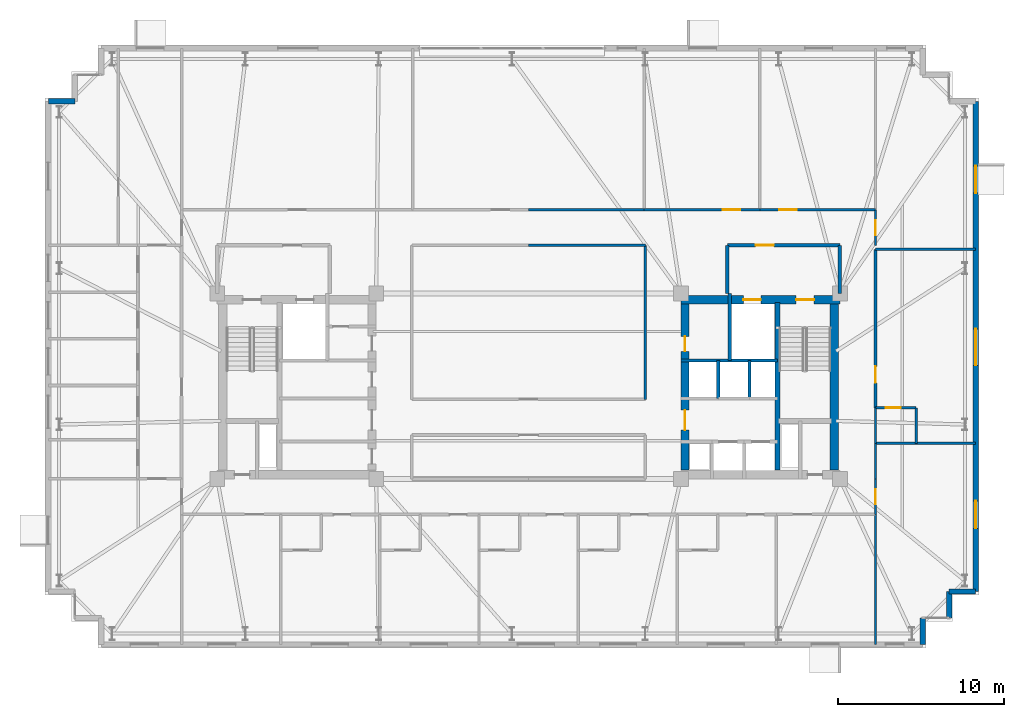
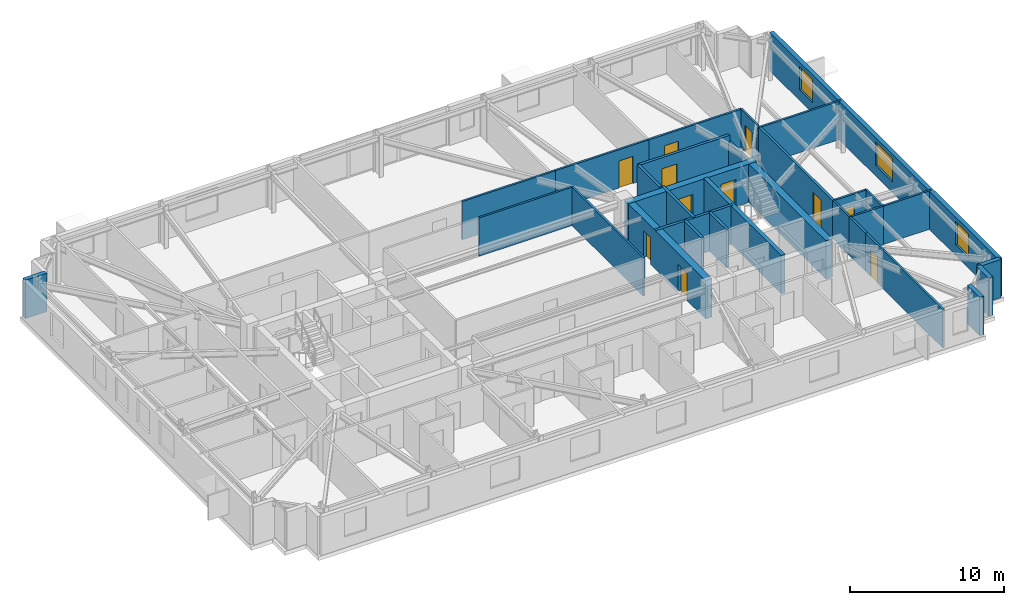
# One storey, part 15 of 18: 32 walls, 11 doors, 3 windows, 14 openings.
"""IFC4 building model written with IfcOpenShell, lengths in metres."""

import ifcopenshell
import ifcopenshell.guid

model = None  # the IFC model being written
_history = None  # IfcOwnerHistory: only IFC2X3 demands one
_inside = {}  # id of a spatial element -> (the spatial element, [elements in it])
_under = {}  # id of a project, library or spatial element -> (it, [spatial elements below it])
_declared = {}  # id of a project -> (the project, [libraries it declares])
_typed = {}  # id of a type object -> (the type object, [elements of that type])
_made_of = {}  # id of a material, layer set ... -> (it, [elements and type objects made of it])


def new_model(schema):
    """Start an empty IFC model of exactly this schema.

    Asked for "IFC4X3", IfcOpenShell would pick the latest addendum, in which some entities
    have other attributes; the version numbers below select the first issue.
    IFC2X3 requires an IfcOwnerHistory on every rooted entity: one is made here for all.
    """
    global model, _history
    if schema == "IFC4X3":
        model = ifcopenshell.file(schema_version=(4, 3, 0, 0))
    else:
        model = ifcopenshell.file(schema=schema)
    _inside.clear()
    _under.clear()
    _declared.clear()
    _typed.clear()
    _made_of.clear()
    _history = None
    if model.schema == "IFC2X3":
        org = make("IfcOrganization", Name="unknown")
        user = make(
            "IfcPersonAndOrganization",
            ThePerson=make("IfcPerson", FamilyName="unknown"),
            TheOrganization=org,
        )
        app = make(
            "IfcApplication",
            ApplicationDeveloper=org,
            Version="unknown",
            ApplicationFullName="unknown",
            ApplicationIdentifier="unknown",
        )
        _history = make(
            "IfcOwnerHistory",
            OwningUser=user,
            OwningApplication=app,
            ChangeAction="ADDED",
            CreationDate=0,
        )
    return model


def make(cls, **values):
    """One entity of the class cls with the attributes given. An attribute that is None is left unset."""
    return model.create_entity(
        cls, **{name: value for name, value in values.items() if value is not None}
    )


def rooted(cls, **values):
    """An entity with a GlobalId (a new one), such as an element, a storey or a relation."""
    return make(cls, GlobalId=ifcopenshell.guid.new(), OwnerHistory=_history, **values)


def si_unit(unit_type, name, prefix=None):
    """IfcSIUnit, for example si_unit("LENGTHUNIT", "METRE", prefix="MILLI")."""
    return make("IfcSIUnit", UnitType=unit_type, Prefix=prefix, Name=name)


def assignment(units):
    """IfcUnitAssignment: the units of a project."""
    return None if units is None else make("IfcUnitAssignment", Units=units)


def point(xyz):
    """IfcCartesianPoint."""
    return None if xyz is None else make("IfcCartesianPoint", Coordinates=xyz)


def direction(xyz):
    """IfcDirection."""
    return None if xyz is None else make("IfcDirection", DirectionRatios=xyz)


def frame(location, z_axis=None, x_axis=None):
    """IfcAxis2Placement3D, a coordinate frame: its origin and axes. An axis left out is left unset."""
    return make(
        "IfcAxis2Placement3D",
        Location=point(location),
        Axis=direction(z_axis),
        RefDirection=direction(x_axis),
    )


def frame_2d(location, x_axis=None):
    """IfcAxis2Placement2D, a coordinate frame in the plane: its origin and x axis."""
    return make(
        "IfcAxis2Placement2D", Location=point(location), RefDirection=direction(x_axis)
    )


def origin():
    """The frame at (0, 0, 0) with its axes left unset."""
    return frame((0.0, 0.0, 0.0))


def place(relative_to, where):
    """IfcLocalPlacement: puts the frame where relative to a parent placement (None: the world)."""
    return make(
        "IfcLocalPlacement", PlacementRelTo=relative_to, RelativePlacement=where
    )


def context(
    kind, dimensions, precision=None, world=None, true_north=None, identifier=None
):
    """IfcGeometricRepresentationContext, for example the 3D "Model" context."""
    return make(
        "IfcGeometricRepresentationContext",
        ContextIdentifier=identifier,
        ContextType=kind,
        CoordinateSpaceDimension=dimensions,
        Precision=precision,
        WorldCoordinateSystem=world,
        TrueNorth=true_north,
    )


def subcontext(parent, identifier, kind, view, scale=None):
    """IfcGeometricRepresentationSubContext, for example "Body" below "Model"."""
    return make(
        "IfcGeometricRepresentationSubContext",
        ContextIdentifier=identifier,
        ContextType=kind,
        ParentContext=parent,
        TargetScale=scale,
        TargetView=view,
    )


def project(units=None, contexts=None):
    """IfcProject with its units and contexts."""
    return rooted(
        "IfcProject",
        Name="project",
        RepresentationContexts=contexts,
        UnitsInContext=assignment(units),
    )


def spatial(cls, under=None, at=None, **own):
    """A site, building, storey or space (cls), placed at a placement, below another one or the project."""
    s = rooted(cls, ObjectPlacement=at, **own)
    if under is not None:
        _under.setdefault(under.id(), (under, []))[1].append(s)
    return s


def profile(cls, at=None, kind="AREA", **sizes):
    """A parametric profile (cls). Its sizes go by their IFC names, for example OverallWidth=200.0."""
    return make(cls, ProfileType=kind, Position=at, **sizes)


def rectangle(**sizes):
    """IfcRectangleProfileDef."""
    return profile("IfcRectangleProfileDef", **sizes)


def extrude(swept, where, along, depth):
    """IfcExtrudedAreaSolid: the profile swept, set in the frame where, extruded along a direction by depth."""
    return make(
        "IfcExtrudedAreaSolid",
        SweptArea=swept,
        Position=where,
        ExtrudedDirection=direction(along),
        Depth=depth,
    )


def shape(context_of_items, identifier, shape_type, items):
    """IfcShapeRepresentation: the items that make up one representation, for example the "Body"."""
    return make(
        "IfcShapeRepresentation",
        ContextOfItems=context_of_items,
        RepresentationIdentifier=identifier,
        RepresentationType=shape_type,
        Items=items,
    )


def material(Name=None, Category=None):
    """IfcMaterial."""
    return make("IfcMaterial", Name=Name, Category=Category)


def layer(
    of_material, thickness, ventilated=None, Name=None, Category=None, Priority=None
):
    """IfcMaterialLayer: one layer of a wall or slab, of a material (None: an air gap)."""
    return make(
        "IfcMaterialLayer",
        Material=of_material,
        LayerThickness=thickness,
        IsVentilated=ventilated,
        Name=Name,
        Category=Category,
        Priority=Priority,
    )


def layer_set(layers, Name=None):
    """IfcMaterialLayerSet."""
    return make("IfcMaterialLayerSet", MaterialLayers=layers, LayerSetName=Name)


def made_of(thing, what):
    """Note that an element or type object is made of a material, layer set ...; save() writes the relation."""
    if what is not None:
        _made_of.setdefault(what.id(), (what, []))[1].append(thing)
    return thing


def type_object(cls, material=None, **own):
    """A type object (cls), such as IfcWallType, which elements share."""
    return made_of(rooted(cls, **own), material)


def element(
    cls,
    number,
    at=None,
    inside=None,
    cuts=None,
    type_object=None,
    material=None,
    context=None,
    identifier="Body",
    shape_type=None,
    held_by="IfcProductDefinitionShape",
    body=None,
    shapes=None,
    **own,
):
    """One element of the class cls, such as IfcWall. Its Tag is "e" and its number.

    at: its placement. inside: the storey or other place that contains it. cuts: it is an
    opening in that element (IfcRelVoidsElement). A single representation is given by context,
    identifier, shape_type and body (its items); several are given by shapes. held_by: the class
    of the entity that holds the representations. save() writes the other relations.
    """
    e = rooted(cls, Tag="e%d" % number, ObjectPlacement=at, **own)
    if body is not None:
        shapes = [shape(context, identifier, shape_type, body)]
    if shapes is not None:
        e.Representation = make(held_by, Representations=shapes)
    if inside is not None:
        _inside.setdefault(inside.id(), (inside, []))[1].append(e)
    if cuts is not None:
        rooted(
            "IfcRelVoidsElement", RelatingBuildingElement=cuts, RelatedOpeningElement=e
        )
    if type_object is not None:
        _typed.setdefault(type_object.id(), (type_object, []))[1].append(e)
    return made_of(e, material)


def fill(opening, filler):
    """IfcRelFillsElement: the door or window that sits in an opening."""
    return rooted(
        "IfcRelFillsElement",
        RelatingOpeningElement=opening,
        RelatedBuildingElement=filler,
    )


def aggregate(whole, parts):
    """IfcRelAggregates: a whole, such as a stair, and the parts it consists of."""
    return rooted("IfcRelAggregates", RelatingObject=whole, RelatedObjects=parts)


def save(model, path):
    """Write the relations noted so far, then the file.

    IfcRelAggregates (storeys below a building ...), IfcRelContainedInSpatialStructure (elements
    in a storey), IfcRelDefinesByType, IfcRelAssociatesMaterial and IfcRelDeclares: one each for
    every whole, place, type object, material and project.
    """
    for whole, parts in _under.values():
        aggregate(whole, parts)
    for where, things in _inside.values():
        rooted(
            "IfcRelContainedInSpatialStructure",
            RelatedElements=things,
            RelatingStructure=where,
        )
    for kind, things in _typed.values():
        rooted("IfcRelDefinesByType", RelatedObjects=things, RelatingType=kind)
    for what, things in _made_of.values():
        rooted("IfcRelAssociatesMaterial", RelatedObjects=things, RelatingMaterial=what)
    for by, libraries in _declared.values():
        rooted("IfcRelDeclares", RelatingContext=by, RelatedDefinitions=libraries)
    model.write(path)


model = new_model("IFC4")

# Units and contexts
model_context = context("Model", 3, precision=1e-05, world=origin(), true_north=direction((0.0, 1.0)))
body_context = subcontext(model_context, "Body", "Model", "MODEL_VIEW")
ifc_project = project(units=[si_unit("LENGTHUNIT", "METRE"), si_unit("AREAUNIT", "SQUARE_METRE"), si_unit("VOLUMEUNIT", "CUBIC_METRE"), si_unit("PLANEANGLEUNIT", "RADIAN"), si_unit("MASSUNIT", "GRAM", prefix="KILO")], contexts=[model_context])

# Site, building, storey
site_placement = place(None, origin())
site = spatial("IfcSite", under=ifc_project, at=site_placement, CompositionType="ELEMENT")
building_placement = place(site_placement, origin())
building = spatial("IfcBuilding", under=site, at=building_placement, Name="Qobustan Lattice House", CompositionType="ELEMENT")
storey_placement = place(building_placement, frame((0.0, 0.0, 147.75)))
storey = spatial("IfcBuildingStorey", under=building, at=storey_placement, Name="L41", CompositionType="ELEMENT", Elevation=147.75)

# Wall, openings, doors
ifc_material_1 = material(Name="Concrete C50/60", Category="concrete")
ifc_layer_1 = layer(ifc_material_1, 0.5)
ifc_layer_set_1 = layer_set([ifc_layer_1], Name="Concrete C50/60")
wall_type_1 = type_object("IfcWallType", Name="WAL-CORE-500", PredefinedType="SHEAR", material=ifc_layer_set_1)
wall_1_placement = place(storey_placement, frame((9.199951171875, 5.2099609375, 0.0), z_axis=(0.0, 0.0, 1.0), x_axis=(1.0, 0.0, 0.0)))
wall_1 = element("IfcWall", 1, at=wall_1_placement, inside=storey, type_object=wall_type_1, Name="L41 split-core shear wall CE-N", PredefinedType="SHEAR", context=body_context, shape_type="SweptSolid", body=[
    extrude(rectangle(XDim=9.60009765625, YDim=0.5, at=frame_2d((4.800048828125, 0.0))), origin(), (0.0, 0.0, 1.0), 3.0400390625),
])
opening_1_placement = place(wall_1_placement, frame((6.949951171875, 0.0, 0.0)))
opening_1 = element("IfcOpeningElement", 2, at=opening_1_placement, cuts=wall_1, Name="Opening SD-01", PredefinedType="OPENING", context=body_context, shape_type="SweptSolid", body=[
    extrude(rectangle(XDim=1.10009765625, YDim=2.14990234375, at=frame_2d((0.550048828125, 1.074951171875))), frame((0.0, 0.260009765625, 0.0), z_axis=(0.0, -1.0, 0.0), x_axis=(1.0, 0.0, 0.0)), (0.0, 0.0, 1.0), 0.52001953125),
])
opening_2_placement = place(wall_1_placement, frame((3.77490234375, 0.0, 0.0)))
opening_2 = element("IfcOpeningElement", 3, at=opening_2_placement, cuts=wall_1, Name="Opening LD-01", PredefinedType="OPENING", context=body_context, shape_type="SweptSolid", body=[
    extrude(rectangle(XDim=1.050048828125, YDim=2.10009765625, at=frame_2d((0.52490234375, 1.050048828125))), frame((0.0, 0.260009765625, 0.0), z_axis=(0.0, -1.0, 0.0), x_axis=(1.0, 0.0, 0.0)), (0.0, 0.0, 1.0), 0.52001953125),
])
ifc_material_2 = material(Name="Persian walnut timber and steel frame door", Category="steel")
door_type_1 = type_object("IfcDoorType", Name="DOR-LIFT-LD-1050x2100", OperationType="NOTDEFINED", PredefinedType="DOOR", material=ifc_material_2)
door_1_placement = place(opening_2_placement, origin())
door_1 = element("IfcDoor", 4, at=door_1_placement, inside=storey, type_object=door_type_1, Name="L41 firefighting lift FF-E landing door", OperationType="DOUBLE_DOOR_SLIDING", OverallHeight=2.10009765625, OverallWidth=1.050048828125, PredefinedType="DOOR", context=body_context, shape_type="SweptSolid", body=[
    extrude(rectangle(XDim=1.050048828125, YDim=2.10009765625, at=frame_2d((0.52490234375, 1.050048828125))), frame((0.0, 0.02490234375, 0.0), z_axis=(0.0, -1.0, 0.0), x_axis=(1.0, 0.0, 0.0)), (0.0, 0.0, 1.0), 0.050048828125),
])
fill(opening_2, door_1)
ifc_material_3 = material(Name="Persian walnut timber and steel frame door", Category="steel")
door_type_2 = type_object("IfcDoorType", Name="DOR-STAIR-FD-1100x2150", OperationType="NOTDEFINED", PredefinedType="DOOR", material=ifc_material_3)
door_2_placement = place(opening_1_placement, origin())
door_2 = element("IfcDoor", 5, at=door_2_placement, inside=storey, type_object=door_type_2, Name="L41 exit stair ST-E1 fire door", OperationType="SINGLE_SWING_RIGHT", OverallHeight=2.14990234375, OverallWidth=1.10009765625, PredefinedType="DOOR", context=body_context, shape_type="SweptSolid", body=[
    extrude(rectangle(XDim=1.10009765625, YDim=2.14990234375, at=frame_2d((0.550048828125, 1.074951171875))), frame((0.0, 0.02490234375, 0.0), z_axis=(0.0, -1.0, 0.0), x_axis=(1.0, 0.0, 0.0)), (0.0, 0.0, 1.0), 0.050048828125),
])
fill(opening_1, door_2)

wall_2_placement = place(storey_placement, frame((9.449951171875, -5.050048828125, 0.0), z_axis=(0.0, 0.0, 1.0), x_axis=(0.0, 1.0, 0.0)))
wall_2 = element("IfcWall", 6, at=wall_2_placement, inside=storey, type_object=wall_type_1, Name="L41 split-core shear wall CE-W", PredefinedType="SHEAR", context=body_context, shape_type="SweptSolid", body=[
    extrude(rectangle(XDim=10.10009765625, YDim=0.5, at=frame_2d((5.050048828125, 0.0))), origin(), (0.0, 0.0, 1.0), 3.0400390625),
])
opening_3_placement = place(wall_2_placement, frame((7.14990234375, 0.0, 0.0)))
opening_3 = element("IfcOpeningElement", 7, at=opening_3_placement, cuts=wall_2, Name="Opening RD-01", PredefinedType="OPENING", context=body_context, shape_type="SweptSolid", body=[
    extrude(rectangle(XDim=0.89990234375, YDim=2.10009765625, at=frame_2d((0.449951171875, 1.050048828125))), frame((0.0, 0.260009765625, 0.0), z_axis=(0.0, -1.0, 0.0), x_axis=(1.0, 0.0, 0.0)), (0.0, 0.0, 1.0), 0.52001953125),
])
opening_4_placement = place(wall_2_placement, frame((2.39990234375, 0.0, 0.0)))
opening_4 = element("IfcOpeningElement", 8, at=opening_4_placement, cuts=wall_2, Name="Opening FD-01", PredefinedType="OPENING", context=body_context, shape_type="SweptSolid", body=[
    extrude(rectangle(XDim=1.199951171875, YDim=2.14990234375, at=frame_2d((0.60009765625, 1.074951171875))), frame((0.0, 0.260009765625, 0.0), z_axis=(0.0, -1.0, 0.0), x_axis=(1.0, 0.0, 0.0)), (0.0, 0.0, 1.0), 0.52001953125),
])
ifc_material_4 = material(Name="Persian walnut timber and steel frame door", Category="steel")
door_type_3 = type_object("IfcDoorType", Name="DOR-LOBBY-FD-1200x2150", OperationType="NOTDEFINED", PredefinedType="DOOR", material=ifc_material_4)
door_3_placement = place(opening_4_placement, origin())
door_3 = element("IfcDoor", 9, at=door_3_placement, inside=storey, type_object=door_type_3, Name="L41 East passenger lift lobby fire door", OperationType="SINGLE_SWING_LEFT", OverallHeight=2.14990234375, OverallWidth=1.199951171875, PredefinedType="DOOR", context=body_context, shape_type="SweptSolid", body=[
    extrude(rectangle(XDim=1.199951171875, YDim=2.14990234375, at=frame_2d((0.60009765625, 1.074951171875))), frame((0.0, 0.02490234375, 0.0), z_axis=(0.0, -1.0, 0.0), x_axis=(1.0, 0.0, 0.0)), (0.0, 0.0, 1.0), 0.050048828125),
])
fill(opening_4, door_3)
ifc_material_5 = material(Name="Persian walnut timber and steel frame door", Category="steel")
door_type_4 = type_object("IfcDoorType", Name="DOR-RISER-FD-900x2100", OperationType="NOTDEFINED", PredefinedType="DOOR", material=ifc_material_5)
door_4_placement = place(opening_3_placement, origin())
door_4 = element("IfcDoor", 10, at=door_4_placement, inside=storey, type_object=door_type_4, Name="L41 Housekeeping linen store fire door", OperationType="SINGLE_SWING_RIGHT", OverallHeight=2.10009765625, OverallWidth=0.89990234375, PredefinedType="DOOR", context=body_context, shape_type="SweptSolid", body=[
    extrude(rectangle(XDim=0.89990234375, YDim=2.10009765625, at=frame_2d((0.449951171875, 1.050048828125))), frame((0.0, 0.02490234375, 0.0), z_axis=(0.0, -1.0, 0.0), x_axis=(1.0, 0.0, 0.0)), (0.0, 0.0, 1.0), 0.050048828125),
])
fill(opening_3, door_4)

# Walls
wall_3_placement = place(storey_placement, frame((18.4599609375, -5.050048828125, 0.0), z_axis=(0.0, 0.0, 1.0), x_axis=(0.0, 1.0, 0.0)))
element("IfcWall", 11, at=wall_3_placement, inside=storey, type_object=wall_type_1, Name="L41 split-core shear wall CE-E", PredefinedType="SHEAR", context=body_context, shape_type="SweptSolid", body=[
    extrude(rectangle(XDim=10.10009765625, YDim=0.5, at=frame_2d((5.050048828125, 0.0))), origin(), (0.0, 0.0, 1.0), 3.0400390625),
])
ifc_material_6 = material(Name="Concrete C50/60", Category="concrete")
ifc_layer_2 = layer(ifc_material_6, 0.280029296875)
ifc_layer_set_2 = layer_set([ifc_layer_2], Name="Concrete C50/60")
wall_type_2 = type_object("IfcWallType", Name="WAL-CORE-SPINE-280", PredefinedType="SHEAR", material=ifc_layer_set_2)
wall_4_placement = place(storey_placement, frame((15.02001953125, -5.050048828125, 0.0), z_axis=(0.0, 0.0, 1.0), x_axis=(0.0, 1.0, 0.0)))
element("IfcWall", 12, at=wall_4_placement, inside=storey, type_object=wall_type_2, Name="L41 split-core shear wall CE-M", PredefinedType="SHEAR", context=body_context, shape_type="SweptSolid", body=[
    extrude(rectangle(XDim=10.10009765625, YDim=0.300048828125, at=frame_2d((5.050048828125, 0.0))), origin(), (0.0, 0.0, 1.0), 3.0400390625),
])
ifc_material_7 = material(Name="Precast concrete C40/50", Category="concrete")
ifc_layer_3 = layer(ifc_material_7, 0.320068359375)
ifc_layer_set_3 = layer_set([ifc_layer_3], Name="Precast concrete C40/50")
wall_type_3 = type_object("IfcWallType", Name="WAL-EXT-STONE-320", PredefinedType="SOLIDWALL", material=ifc_layer_set_3)
wall_5_placement = place(storey_placement, frame((-29.0, 17.199951171875, 0.0), z_axis=(0.0, 0.0, 1.0), x_axis=(1.0, 0.0, 0.0)))
element("IfcWall", 13, at=wall_5_placement, inside=storey, type_object=wall_type_3, Name="L41 exterior limestone-clad wall 6", PredefinedType="SOLIDWALL", context=body_context, shape_type="SweptSolid", body=[
    extrude(rectangle(XDim=1.60009765625, YDim=0.320068359375, at=frame_2d((0.800048828125, 0.0))), origin(), (0.0, 0.0, 1.0), 3.0400390625),
])

# Wall, openings, windows
wall_6_placement = place(storey_placement, frame((27.0, 17.199951171875, 0.0), z_axis=(0.0, 0.0, 1.0), x_axis=(0.0, -1.0, 0.0)))
wall_6 = element("IfcWall", 14, at=wall_6_placement, inside=storey, type_object=wall_type_3, Name="L41 exterior limestone-clad wall 15", PredefinedType="SOLIDWALL", context=body_context, shape_type="SweptSolid", body=[
    extrude(rectangle(XDim=29.599853515625, YDim=0.320068359375, at=frame_2d((14.7998046875, 0.0))), origin(), (0.0, 0.0, 1.0), 3.0400390625),
])
opening_5_placement = place(wall_6_placement, frame((3.89501953125, 0.0, 0.85009765625)))
opening_5 = element("IfcOpeningElement", 15, at=opening_5_placement, cuts=wall_6, Name="Opening WN-09", PredefinedType="OPENING", context=body_context, shape_type="SweptSolid", body=[
    extrude(rectangle(XDim=1.64990234375, YDim=1.85009765625, at=frame_2d((0.824951171875, 0.925048828125))), frame((0.0, 0.169921875, 0.0), z_axis=(0.0, -1.0, 0.0), x_axis=(1.0, 0.0, 0.0)), (0.0, 0.0, 1.0), 0.340087890625),
])
opening_6_placement = place(wall_6_placement, frame((13.739990234375, 0.0, 0.85009765625)))
opening_6 = element("IfcOpeningElement", 16, at=opening_6_placement, cuts=wall_6, Name="Opening WN-03", PredefinedType="OPENING", context=body_context, shape_type="SweptSolid", body=[
    extrude(rectangle(XDim=2.199951171875, YDim=1.85009765625, at=frame_2d((1.10009765625, 0.925048828125))), frame((0.0, 0.169921875, 0.0), z_axis=(0.0, -1.0, 0.0), x_axis=(1.0, 0.0, 0.0)), (0.0, 0.0, 1.0), 0.340087890625),
])
opening_7_placement = place(wall_6_placement, frame((24.135009765625, 0.0, 0.85009765625)))
opening_7 = element("IfcOpeningElement", 17, at=opening_7_placement, cuts=wall_6, Name="Opening WN-09", PredefinedType="OPENING", context=body_context, shape_type="SweptSolid", body=[
    extrude(rectangle(XDim=1.64990234375, YDim=1.85009765625, at=frame_2d((0.824951171875, 0.925048828125))), frame((0.0, 0.169921875, 0.0), z_axis=(0.0, -1.0, 0.0), x_axis=(1.0, 0.0, 0.0)), (0.0, 0.0, 1.0), 0.340087890625),
])
ifc_material_8 = material(Name="Double-glazed low-E aluminium window", Category="aluminium")
window_type_1 = type_object("IfcWindowType", Name="WIN-STU-1650x1850", PartitioningType="SINGLE_PANEL", PredefinedType="WINDOW", material=ifc_material_8)
window_1_placement = place(opening_5_placement, origin())
window_1 = element("IfcWindow", 18, at=window_1_placement, inside=storey, type_object=window_type_1, Name="L41 Focus study room E3 window", OverallHeight=1.85009765625, OverallWidth=1.64990234375, PartitioningType="SINGLE_PANEL", PredefinedType="WINDOW", context=body_context, shape_type="SweptSolid", body=[
    extrude(rectangle(XDim=1.64990234375, YDim=1.85009765625, at=frame_2d((0.824951171875, 0.925048828125))), frame((0.0, 0.030029296875, 0.0), z_axis=(0.0, -1.0, 0.0), x_axis=(1.0, 0.0, 0.0)), (0.0, 0.0, 1.0), 0.06005859375),
])
fill(opening_5, window_1)
window_2_placement = place(opening_7_placement, origin())
window_2 = element("IfcWindow", 19, at=window_2_placement, inside=storey, type_object=window_type_1, Name="L41 Focus study room E1 window", OverallHeight=1.85009765625, OverallWidth=1.64990234375, PartitioningType="SINGLE_PANEL", PredefinedType="WINDOW", context=body_context, shape_type="SweptSolid", body=[
    extrude(rectangle(XDim=1.64990234375, YDim=1.85009765625, at=frame_2d((0.824951171875, 0.925048828125))), frame((0.0, 0.030029296875, 0.0), z_axis=(0.0, -1.0, 0.0), x_axis=(1.0, 0.0, 0.0)), (0.0, 0.0, 1.0), 0.06005859375),
])
fill(opening_7, window_2)
ifc_material_9 = material(Name="Double-glazed low-E aluminium window", Category="aluminium")
window_type_2 = type_object("IfcWindowType", Name="WIN-WIDE-2200x1850", PartitioningType="SINGLE_PANEL", PredefinedType="WINDOW", material=ifc_material_9)
window_3_placement = place(opening_6_placement, origin())
window_3 = element("IfcWindow", 20, at=window_3_placement, inside=storey, type_object=window_type_2, Name="L41 Kitchenette and studio apartment L41-E2 window", OverallHeight=1.85009765625, OverallWidth=2.199951171875, PartitioningType="SINGLE_PANEL", PredefinedType="WINDOW", context=body_context, shape_type="SweptSolid", body=[
    extrude(rectangle(XDim=2.199951171875, YDim=1.85009765625, at=frame_2d((1.10009765625, 0.925048828125))), frame((0.0, 0.030029296875, 0.0), z_axis=(0.0, -1.0, 0.0), x_axis=(1.0, 0.0, 0.0)), (0.0, 0.0, 1.0), 0.06005859375),
])
fill(opening_6, window_3)

# Walls
for number, where, z_axis, x_axis, name in (
    (21, (27.0, -12.39990234375, 0.0), (0.0, 0.0, 1.0), (-1.0, 0.0, 0.0), "L41 exterior limestone-clad wall 16"),
    (22, (25.39990234375, -12.39990234375, 0.0), (0.0, 0.0, 1.0), (0.0, -1.0, 0.0), "L41 exterior limestone-clad wall 17"),
    (23, (23.800048828125, -14.0, 0.0), (0.0, 0.0, 1.0), (0.0, -1.0, 0.0), "L41 exterior limestone-clad wall 19"),
):
    element("IfcWall", number, at=place(storey_placement, frame(where, z_axis=z_axis, x_axis=x_axis)), inside=storey, type_object=wall_type_3, Name=name, PredefinedType="SOLIDWALL", context=body_context, shape_type="SweptSolid", body=[
        extrude(rectangle(XDim=1.60009765625, YDim=0.320068359375, at=frame_2d((0.800048828125, 0.0))), origin(), (0.0, 0.0, 1.0), 3.0400390625),
    ])

# Wall, opening, door
ifc_material_10 = material(Name="Gypsum fireboard acoustic partition", Category="gypsum")
ifc_layer_4 = layer(ifc_material_10, 0.179931640625)
ifc_layer_set_4 = layer_set([ifc_layer_4], Name="Gypsum fireboard acoustic partition")
wall_type_4 = type_object("IfcWallType", Name="WAL-FIRE-180", PredefinedType="PARTITIONING", material=ifc_layer_set_4)
wall_7_placement = place(storey_placement, frame((20.949951171875, 8.260009765625, 0.0), z_axis=(0.0, 0.0, 1.0), x_axis=(0.0, -1.0, 0.0)))
wall_7 = element("IfcWall", 24, at=wall_7_placement, inside=storey, type_object=wall_type_4, Name="L41 interior partition 60", PredefinedType="PARTITIONING", context=body_context, shape_type="SweptSolid", body=[
    extrude(rectangle(XDim=9.570068359375, YDim=0.179931640625, at=frame_2d((4.78515625, 0.0))), origin(), (0.0, 0.0, 1.0), 3.0400390625),
])
opening_8_placement = place(wall_7_placement, frame((7.063720703125, 0.0, 0.0)))
opening_8 = element("IfcOpeningElement", 25, at=opening_8_placement, cuts=wall_7, Name="Opening FD-02", PredefinedType="OPENING", context=body_context, shape_type="SweptSolid", body=[
    extrude(rectangle(XDim=1.0, YDim=2.14990234375, at=frame_2d((0.5, 1.074951171875))), frame((0.0, 0.099853515625, 0.0), z_axis=(0.0, -1.0, 0.0), x_axis=(1.0, 0.0, 0.0)), (0.0, 0.0, 1.0), 0.199951171875),
])
ifc_material_11 = material(Name="Persian walnut timber and steel frame door", Category="steel")
door_type_5 = type_object("IfcDoorType", Name="DOR-UNIT-FD-1000x2150", OperationType="NOTDEFINED", PredefinedType="DOOR", material=ifc_material_11)
door_5_placement = place(opening_8_placement, origin())
door_5 = element("IfcDoor", 26, at=door_5_placement, inside=storey, type_object=door_type_5, Name="L41 East wing spine gallery to Kitchenette and studio apartment L41-E2 door", OperationType="SINGLE_SWING_RIGHT", OverallHeight=2.14990234375, OverallWidth=1.0, PredefinedType="DOOR", context=body_context, shape_type="SweptSolid", body=[
    extrude(rectangle(XDim=1.0, YDim=2.14990234375, at=frame_2d((0.5, 1.074951171875))), frame((0.0, 0.02490234375, 0.0), z_axis=(0.0, -1.0, 0.0), x_axis=(1.0, 0.0, 0.0)), (0.0, 0.0, 1.0), 0.050048828125),
])
fill(opening_8, door_5)

ifc_material_12 = material(Name="Acoustic twin-stud gypsum partition", Category="gypsum")
ifc_layer_5 = layer(ifc_material_12, 0.14990234375)
ifc_layer_set_5 = layer_set([ifc_layer_5], Name="Acoustic twin-stud gypsum partition")
wall_type_5 = type_object("IfcWallType", Name="WAL-PART-150", PredefinedType="PARTITIONING", material=ifc_layer_set_5)
wall_8_placement = place(storey_placement, frame((20.949951171875, 10.64990234375, 0.0), z_axis=(0.0, 0.0, 1.0), x_axis=(0.0, -1.0, 0.0)))
wall_8 = element("IfcWall", 27, at=wall_8_placement, inside=storey, type_object=wall_type_5, Name="L41 interior partition 36", PredefinedType="PARTITIONING", context=body_context, shape_type="SweptSolid", body=[
    extrude(rectangle(XDim=2.14990234375, YDim=0.14990234375, at=frame_2d((1.074951171875, 0.0))), origin(), (0.0, 0.0, 1.0), 3.0400390625),
])
opening_9_placement = place(wall_8_placement, frame((0.625, 0.0, 0.0)))
opening_9 = element("IfcOpeningElement", 28, at=opening_9_placement, cuts=wall_8, Name="Opening WD-01", PredefinedType="OPENING", context=body_context, shape_type="SweptSolid", body=[
    extrude(rectangle(XDim=0.89990234375, YDim=2.10009765625, at=frame_2d((0.449951171875, 1.050048828125))), frame((0.0, 0.0849609375, 0.0), z_axis=(0.0, -1.0, 0.0), x_axis=(1.0, 0.0, 0.0)), (0.0, 0.0, 1.0), 0.169921875),
])
ifc_material_13 = material(Name="Persian walnut timber and steel frame door", Category="steel")
door_type_6 = type_object("IfcDoorType", Name="DOR-WET-900x2100", OperationType="NOTDEFINED", PredefinedType="DOOR", material=ifc_material_13)
door_6_placement = place(opening_9_placement, origin())
door_6 = element("IfcDoor", 29, at=door_6_placement, inside=storey, type_object=door_type_6, Name="L41 North-east floor corridor to Focus study room E3 door", OperationType="SINGLE_SWING_LEFT", OverallHeight=2.10009765625, OverallWidth=0.89990234375, PredefinedType="DOOR", context=body_context, shape_type="SweptSolid", body=[
    extrude(rectangle(XDim=0.89990234375, YDim=2.10009765625, at=frame_2d((0.449951171875, 1.050048828125))), frame((0.0, 0.02490234375, 0.0), z_axis=(0.0, -1.0, 0.0), x_axis=(1.0, 0.0, 0.0)), (0.0, 0.0, 1.0), 0.050048828125),
])
fill(opening_9, door_6)

# Wall
wall_9_placement = place(storey_placement, frame((0.0, 10.64990234375, 0.0), z_axis=(0.0, 0.0, 1.0), x_axis=(1.0, 0.0, 0.0)))
element("IfcWall", 30, at=wall_9_placement, inside=storey, type_object=wall_type_5, Name="L41 interior partition 37", PredefinedType="PARTITIONING", context=body_context, shape_type="SweptSolid", body=[
    extrude(rectangle(XDim=6.98291015625, YDim=0.14990234375, at=frame_2d((3.491455078125, 0.0))), origin(), (0.0, 0.0, 1.0), 3.0400390625),
])

# Wall, opening, door
wall_10_placement = place(storey_placement, frame((6.98291015625, 10.64990234375, 0.0), z_axis=(0.0, 0.0, 1.0), x_axis=(1.0, 0.0, 0.0)))
wall_10 = element("IfcWall", 31, at=wall_10_placement, inside=storey, type_object=wall_type_5, Name="L41 interior partition 38", PredefinedType="PARTITIONING", context=body_context, shape_type="SweptSolid", body=[
    extrude(rectangle(XDim=6.983642578125, YDim=0.14990234375, at=frame_2d((3.49169921875, 0.0))), origin(), (0.0, 0.0, 1.0), 3.0400390625),
])
opening_10_placement = place(wall_10_placement, frame((4.7568359375, 0.0, 0.0)))
opening_10 = element("IfcOpeningElement", 32, at=opening_10_placement, cuts=wall_10, Name="Opening ID-02", PredefinedType="OPENING", context=body_context, shape_type="SweptSolid", body=[
    extrude(rectangle(XDim=1.050048828125, YDim=2.14990234375, at=frame_2d((0.52490234375, 1.074951171875))), frame((0.0, 0.0849609375, 0.0), z_axis=(0.0, -1.0, 0.0), x_axis=(1.0, 0.0, 0.0)), (0.0, 0.0, 1.0), 0.169921875),
])
ifc_material_14 = material(Name="Persian walnut timber and steel frame door", Category="steel")
door_type_7 = type_object("IfcDoorType", Name="DOR-STUDY-1050x2150", OperationType="NOTDEFINED", PredefinedType="DOOR", material=ifc_material_14)
door_7_placement = place(opening_10_placement, origin())
door_7 = element("IfcDoor", 33, at=door_7_placement, inside=storey, type_object=door_type_7, Name="L41 North-east floor corridor to Focus study room N3A door", OperationType="SINGLE_SWING_RIGHT", OverallHeight=2.14990234375, OverallWidth=1.050048828125, PredefinedType="DOOR", context=body_context, shape_type="SweptSolid", body=[
    extrude(rectangle(XDim=1.050048828125, YDim=2.14990234375, at=frame_2d((0.52490234375, 1.074951171875))), frame((0.0, 0.02490234375, 0.0), z_axis=(0.0, -1.0, 0.0), x_axis=(1.0, 0.0, 0.0)), (0.0, 0.0, 1.0), 0.050048828125),
])
fill(opening_10, door_7)

wall_11_placement = place(storey_placement, frame((13.966552734375, 10.64990234375, 0.0), z_axis=(0.0, 0.0, 1.0), x_axis=(1.0, 0.0, 0.0)))
wall_11 = element("IfcWall", 34, at=wall_11_placement, inside=storey, type_object=wall_type_5, Name="L41 interior partition 39", PredefinedType="PARTITIONING", context=body_context, shape_type="SweptSolid", body=[
    extrude(rectangle(XDim=6.9833984375, YDim=0.14990234375, at=frame_2d((3.49169921875, 0.0))), origin(), (0.0, 0.0, 1.0), 3.0400390625),
])
opening_11_placement = place(wall_11_placement, frame((1.1767578125, 0.0, 0.0)))
opening_11 = element("IfcOpeningElement", 35, at=opening_11_placement, cuts=wall_11, Name="Opening ID-02", PredefinedType="OPENING", context=body_context, shape_type="SweptSolid", body=[
    extrude(rectangle(XDim=1.050048828125, YDim=2.14990234375, at=frame_2d((0.52490234375, 1.074951171875))), frame((0.0, 0.0849609375, 0.0), z_axis=(0.0, -1.0, 0.0), x_axis=(1.0, 0.0, 0.0)), (0.0, 0.0, 1.0), 0.169921875),
])
door_8_placement = place(opening_11_placement, origin())
door_8 = element("IfcDoor", 36, at=door_8_placement, inside=storey, type_object=door_type_7, Name="L41 North-east floor corridor to Focus study room N3B door", OperationType="SINGLE_SWING_LEFT", OverallHeight=2.14990234375, OverallWidth=1.050048828125, PredefinedType="DOOR", context=body_context, shape_type="SweptSolid", body=[
    extrude(rectangle(XDim=1.050048828125, YDim=2.14990234375, at=frame_2d((0.52490234375, 1.074951171875))), frame((0.0, 0.02490234375, 0.0), z_axis=(0.0, -1.0, 0.0), x_axis=(1.0, 0.0, 0.0)), (0.0, 0.0, 1.0), 0.050048828125),
])
fill(opening_11, door_8)

# Wall
wall_12_placement = place(storey_placement, frame((7.050048828125, 8.5, 0.0), z_axis=(0.0, 0.0, 1.0), x_axis=(-1.0, 0.0, 0.0)))
element("IfcWall", 37, at=wall_12_placement, inside=storey, type_object=wall_type_5, Name="L41 interior partition 40", PredefinedType="PARTITIONING", context=body_context, shape_type="SweptSolid", body=[
    extrude(rectangle(XDim=7.050048828125, YDim=0.14990234375, at=frame_2d((3.52490234375, 0.0))), origin(), (0.0, 0.0, 1.0), 3.0400390625),
])

# Wall, opening, door
wall_13_placement = place(storey_placement, frame((20.949951171875, -5.60009765625, 0.0), z_axis=(0.0, 0.0, 1.0), x_axis=(0.0, -1.0, 0.0)))
wall_13 = element("IfcWall", 38, at=wall_13_placement, inside=storey, type_object=wall_type_5, Name="L41 interior partition 50", PredefinedType="PARTITIONING", context=body_context, shape_type="SweptSolid", body=[
    extrude(rectangle(XDim=2.14990234375, YDim=0.14990234375, at=frame_2d((1.074951171875, 0.0))), origin(), (0.0, 0.0, 1.0), 3.0400390625),
])
opening_12_placement = place(wall_13_placement, frame((0.625, 0.0, 0.0)))
opening_12 = element("IfcOpeningElement", 39, at=opening_12_placement, cuts=wall_13, Name="Opening WD-01", PredefinedType="OPENING", context=body_context, shape_type="SweptSolid", body=[
    extrude(rectangle(XDim=0.89990234375, YDim=2.10009765625, at=frame_2d((0.449951171875, 1.050048828125))), frame((0.0, 0.0849609375, 0.0), z_axis=(0.0, -1.0, 0.0), x_axis=(1.0, 0.0, 0.0)), (0.0, 0.0, 1.0), 0.169921875),
])
door_9_placement = place(opening_12_placement, origin())
door_9 = element("IfcDoor", 40, at=door_9_placement, inside=storey, type_object=door_type_6, Name="L41 South-east floor corridor to Focus study room E1 door", OperationType="SINGLE_SWING_RIGHT", OverallHeight=2.10009765625, OverallWidth=0.89990234375, PredefinedType="DOOR", context=body_context, shape_type="SweptSolid", body=[
    extrude(rectangle(XDim=0.89990234375, YDim=2.10009765625, at=frame_2d((0.449951171875, 1.050048828125))), frame((0.0, 0.02490234375, 0.0), z_axis=(0.0, -1.0, 0.0), x_axis=(1.0, 0.0, 0.0)), (0.0, 0.0, 1.0), 0.050048828125),
])
fill(opening_12, door_9)

# Walls
wall_14_placement = place(storey_placement, frame((20.949951171875, -3.4599609375, 0.0), z_axis=(0.0, 0.0, 1.0), x_axis=(0.0, -1.0, 0.0)))
element("IfcWall", 41, at=wall_14_placement, inside=storey, type_object=wall_type_5, Name="L41 interior partition 59", PredefinedType="PARTITIONING", context=body_context, shape_type="SweptSolid", body=[
    extrude(rectangle(XDim=2.14013671875, YDim=0.14990234375, at=frame_2d((1.070068359375, 0.0))), origin(), (0.0, 0.0, 1.0), 3.0400390625),
])
wall_15_placement = place(storey_placement, frame((7.050048828125, -0.800048828125, 0.0), z_axis=(0.0, 0.0, 1.0), x_axis=(0.0, 1.0, 0.0)))
element("IfcWall", 42, at=wall_15_placement, inside=storey, type_object=wall_type_5, Name="L41 interior partition 66", PredefinedType="PARTITIONING", context=body_context, shape_type="SweptSolid", body=[
    extrude(rectangle(XDim=9.300048828125, YDim=0.14990234375, at=frame_2d((4.64990234375, 0.0))), origin(), (0.0, 0.0, 1.0), 3.0400390625),
])
wall_16_placement = place(storey_placement, frame((23.39990234375, -3.4599609375, 0.0), z_axis=(0.0, 0.0, 1.0), x_axis=(1.0, 0.0, 0.0)))
element("IfcWall", 43, at=wall_16_placement, inside=storey, type_object=wall_type_5, Name="L41 interior partition 85", PredefinedType="PARTITIONING", context=body_context, shape_type="SweptSolid", body=[
    extrude(rectangle(XDim=3.60009765625, YDim=0.14990234375, at=frame_2d((1.800048828125, 0.0))), origin(), (0.0, 0.0, 1.0), 3.0400390625),
])
wall_17_placement = place(storey_placement, frame((20.949951171875, -15.60009765625, 0.0), z_axis=(0.0, 0.0, 1.0), x_axis=(0.0, 1.0, 0.0)))
element("IfcWall", 44, at=wall_17_placement, inside=storey, type_object=wall_type_5, Name="L41 interior partition 87", PredefinedType="PARTITIONING", context=body_context, shape_type="SweptSolid", body=[
    extrude(rectangle(XDim=7.85009765625, YDim=0.14990234375, at=frame_2d((3.925048828125, 0.0))), origin(), (0.0, 0.0, 1.0), 3.0400390625),
])
wall_18_placement = place(storey_placement, frame((20.949951171875, 8.260009765625, 0.0), z_axis=(0.0, 0.0, 1.0), x_axis=(1.0, 0.0, 0.0)))
element("IfcWall", 45, at=wall_18_placement, inside=storey, type_object=wall_type_5, Name="L41 interior partition 90", PredefinedType="PARTITIONING", context=body_context, shape_type="SweptSolid", body=[
    extrude(rectangle(XDim=6.050048828125, YDim=0.14990234375, at=frame_2d((3.02490234375, 0.0))), origin(), (0.0, 0.0, 1.0), 3.0400390625),
])

# Wall, opening, door
ifc_material_15 = material(Name="Two-hour gypsum fireboard acoustic partition", Category="gypsum")
ifc_layer_6 = layer(ifc_material_15, 0.199951171875)
ifc_layer_set_6 = layer_set([ifc_layer_6], Name="Two-hour gypsum fireboard acoustic partition")
wall_type_6 = type_object("IfcWallType", Name="WAL-PROT-200", PredefinedType="PARTITIONING", material=ifc_layer_set_6)
wall_19_placement = place(storey_placement, frame((18.800048828125, 8.5, 0.0), z_axis=(0.0, 0.0, 1.0), x_axis=(-1.0, 0.0, 0.0)))
wall_19 = element("IfcWall", 46, at=wall_19_placement, inside=storey, type_object=wall_type_6, Name="L41 interior partition 17", PredefinedType="PARTITIONING", context=body_context, shape_type="SweptSolid", body=[
    extrude(rectangle(XDim=6.800048828125, YDim=0.199951171875, at=frame_2d((3.39990234375, 0.0))), origin(), (0.0, 0.0, 1.0), 3.0400390625),
])
opening_13_placement = place(wall_19_placement, frame((3.985107421875, 0.0, 0.0)))
opening_13 = element("IfcOpeningElement", 47, at=opening_13_placement, cuts=wall_19, Name="Opening SD-01", PredefinedType="OPENING", context=body_context, shape_type="SweptSolid", body=[
    extrude(rectangle(XDim=1.10009765625, YDim=2.14990234375, at=frame_2d((0.550048828125, 1.074951171875))), frame((0.0, 0.10986328125, 0.0), z_axis=(0.0, -1.0, 0.0), x_axis=(1.0, 0.0, 0.0)), (0.0, 0.0, 1.0), 0.219970703125),
])
door_10_placement = place(opening_13_placement, origin())
door_10 = element("IfcDoor", 48, at=door_10_placement, inside=storey, type_object=door_type_2, Name="L41 East firefighting lift lobby to North-east floor corridor door", OperationType="SINGLE_SWING_LEFT", OverallHeight=2.14990234375, OverallWidth=1.10009765625, PredefinedType="DOOR", context=body_context, shape_type="SweptSolid", body=[
    extrude(rectangle(XDim=1.10009765625, YDim=2.14990234375, at=frame_2d((0.550048828125, 1.074951171875))), frame((0.0, 0.02490234375, 0.0), z_axis=(0.0, -1.0, 0.0), x_axis=(1.0, 0.0, 0.0)), (0.0, 0.0, 1.0), 0.050048828125),
])
fill(opening_13, door_10)

# Walls
wall_20_placement = place(storey_placement, frame((18.800048828125, 5.60009765625, 0.0), z_axis=(0.0, 0.0, 1.0), x_axis=(0.0, 1.0, 0.0)))
element("IfcWall", 49, at=wall_20_placement, inside=storey, type_object=wall_type_6, Name="L41 interior partition 18", PredefinedType="PARTITIONING", context=body_context, shape_type="SweptSolid", body=[
    extrude(rectangle(XDim=2.89990234375, YDim=0.199951171875, at=frame_2d((1.449951171875, 0.0))), origin(), (0.0, 0.0, 1.0), 2.52490234375),
])
wall_21_placement = place(storey_placement, frame((12.0, 8.5, 0.0), z_axis=(0.0, 0.0, 1.0), x_axis=(0.0, -1.0, 0.0)))
element("IfcWall", 50, at=wall_21_placement, inside=storey, type_object=wall_type_6, Name="L41 interior partition 19", PredefinedType="PARTITIONING", context=body_context, shape_type="SweptSolid", body=[
    extrude(rectangle(XDim=2.89990234375, YDim=0.199951171875, at=frame_2d((1.449951171875, 0.0))), origin(), (0.0, 0.0, 1.0), 3.0400390625),
])
ifc_material_16 = material(Name="Concrete C40/50", Category="concrete")
ifc_layer_7 = layer(ifc_material_16, 0.199951171875)
ifc_layer_set_7 = layer_set([ifc_layer_7], Name="Concrete C40/50")
wall_type_7 = type_object("IfcWallType", Name="WAL-SHAFT-200", PredefinedType="PARTITIONING", material=ifc_layer_set_7)
wall_22_placement = place(storey_placement, frame((12.14990234375, 5.60009765625, 0.0), z_axis=(0.0, 0.0, 1.0), x_axis=(0.0, -1.0, 0.0)))
element("IfcWall", 51, at=wall_22_placement, inside=storey, type_object=wall_type_7, Name="L41 interior partition 16", PredefinedType="PARTITIONING", context=body_context, shape_type="SweptSolid", body=[
    extrude(rectangle(XDim=4.050048828125, YDim=0.199951171875, at=frame_2d((2.02490234375, 0.0))), origin(), (0.0, 0.0, 1.0), 3.0400390625),
])
for number, where, z_axis, x_axis, name in (
    (52, (11.4599609375, -0.75, 0.0), (0.0, 0.0, 1.0), (0.0, 1.0, 0.0), "L41 interior partition 30"),
    (53, (13.340087890625, -0.75, 0.0), (0.0, 0.0, 1.0), (0.0, 1.0, 0.0), "L41 interior partition 31"),
):
    element("IfcWall", number, at=place(storey_placement, frame(where, z_axis=z_axis, x_axis=x_axis)), inside=storey, type_object=wall_type_7, Name=name, PredefinedType="PARTITIONING", context=body_context, shape_type="SweptSolid", body=[
        extrude(rectangle(XDim=2.300048828125, YDim=0.199951171875, at=frame_2d((1.14990234375, 0.0))), origin(), (0.0, 0.0, 1.0), 3.0400390625),
    ])
wall_23_placement = place(storey_placement, frame((9.199951171875, 1.550048828125, 0.0), z_axis=(0.0, 0.0, 1.0), x_axis=(1.0, 0.0, 0.0)))
element("IfcWall", 54, at=wall_23_placement, inside=storey, type_object=wall_type_7, Name="L41 interior partition 117", PredefinedType="PARTITIONING", context=body_context, shape_type="SweptSolid", body=[
    extrude(rectangle(XDim=5.820068359375, YDim=0.199951171875, at=frame_2d((2.91015625, 0.0))), origin(), (0.0, 0.0, 1.0), 3.0400390625),
])
ifc_material_17 = material(Name="Moisture-resistant acoustic plumbing wall", Category="gypsum")
ifc_layer_8 = layer(ifc_material_17, 0.14990234375)
ifc_layer_set_8 = layer_set([ifc_layer_8], Name="Moisture-resistant acoustic plumbing wall")
wall_type_8 = type_object("IfcWallType", Name="WAL-WET-150", PredefinedType="PLUMBINGWALL", material=ifc_layer_set_8)
wall_24_placement = place(storey_placement, frame((20.949951171875, -1.31005859375, 0.0), z_axis=(0.0, 0.0, 1.0), x_axis=(0.0, -1.0, 0.0)))
element("IfcWall", 55, at=wall_24_placement, inside=storey, type_object=wall_type_8, Name="L41 interior partition 61", PredefinedType="PLUMBINGWALL", context=body_context, shape_type="SweptSolid", body=[
    extrude(rectangle(XDim=2.14990234375, YDim=0.14990234375, at=frame_2d((1.074951171875, 0.0))), origin(), (0.0, 0.0, 1.0), 3.0400390625),
])
wall_25_placement = place(storey_placement, frame((20.949951171875, -3.4599609375, 0.0), z_axis=(0.0, 0.0, 1.0), x_axis=(1.0, 0.0, 0.0)))
element("IfcWall", 56, at=wall_25_placement, inside=storey, type_object=wall_type_8, Name="L41 interior partition 86", PredefinedType="PLUMBINGWALL", context=body_context, shape_type="SweptSolid", body=[
    extrude(rectangle(XDim=2.449951171875, YDim=0.14990234375, at=frame_2d((1.22509765625, 0.0))), origin(), (0.0, 0.0, 1.0), 3.0400390625),
])

# Wall, opening, door
wall_26_placement = place(storey_placement, frame((23.39990234375, -1.31005859375, 0.0), z_axis=(0.0, 0.0, 1.0), x_axis=(-1.0, 0.0, 0.0)))
wall_26 = element("IfcWall", 57, at=wall_26_placement, inside=storey, type_object=wall_type_8, Name="L41 interior partition 88", PredefinedType="PLUMBINGWALL", context=body_context, shape_type="SweptSolid", body=[
    extrude(rectangle(XDim=2.449951171875, YDim=0.14990234375, at=frame_2d((1.22509765625, 0.0))), origin(), (0.0, 0.0, 1.0), 3.0400390625),
])
opening_14_placement = place(wall_26_placement, frame((0.921142578125, 0.0, 0.0)))
opening_14 = element("IfcOpeningElement", 58, at=opening_14_placement, cuts=wall_26, Name="Opening WD-01", PredefinedType="OPENING", context=body_context, shape_type="SweptSolid", body=[
    extrude(rectangle(XDim=0.89990234375, YDim=2.10009765625, at=frame_2d((0.449951171875, 1.050048828125))), frame((0.0, 0.0849609375, 0.0), z_axis=(0.0, -1.0, 0.0), x_axis=(1.0, 0.0, 0.0)), (0.0, 0.0, 1.0), 0.169921875),
])
door_11_placement = place(opening_14_placement, origin())
door_11 = element("IfcDoor", 59, at=door_11_placement, inside=storey, type_object=door_type_6, Name="L41 Kitchenette and studio apartment L41-E2 to En-suite bathroom L41-E2 door", OperationType="SINGLE_SWING_LEFT", OverallHeight=2.10009765625, OverallWidth=0.89990234375, PredefinedType="DOOR", context=body_context, shape_type="SweptSolid", body=[
    extrude(rectangle(XDim=0.89990234375, YDim=2.10009765625, at=frame_2d((0.449951171875, 1.050048828125))), frame((0.0, 0.02490234375, 0.0), z_axis=(0.0, -1.0, 0.0), x_axis=(1.0, 0.0, 0.0)), (0.0, 0.0, 1.0), 0.050048828125),
])
fill(opening_14, door_11)

# Wall
wall_27_placement = place(storey_placement, frame((23.39990234375, -3.4599609375, 0.0), z_axis=(0.0, 0.0, 1.0), x_axis=(0.0, 1.0, 0.0)))
element("IfcWall", 60, at=wall_27_placement, inside=storey, type_object=wall_type_8, Name="L41 interior partition 89", PredefinedType="PLUMBINGWALL", context=body_context, shape_type="SweptSolid", body=[
    extrude(rectangle(XDim=2.14990234375, YDim=0.14990234375, at=frame_2d((1.074951171875, 0.0))), origin(), (0.0, 0.0, 1.0), 3.0400390625),
])

save(model, "model.ifc")
